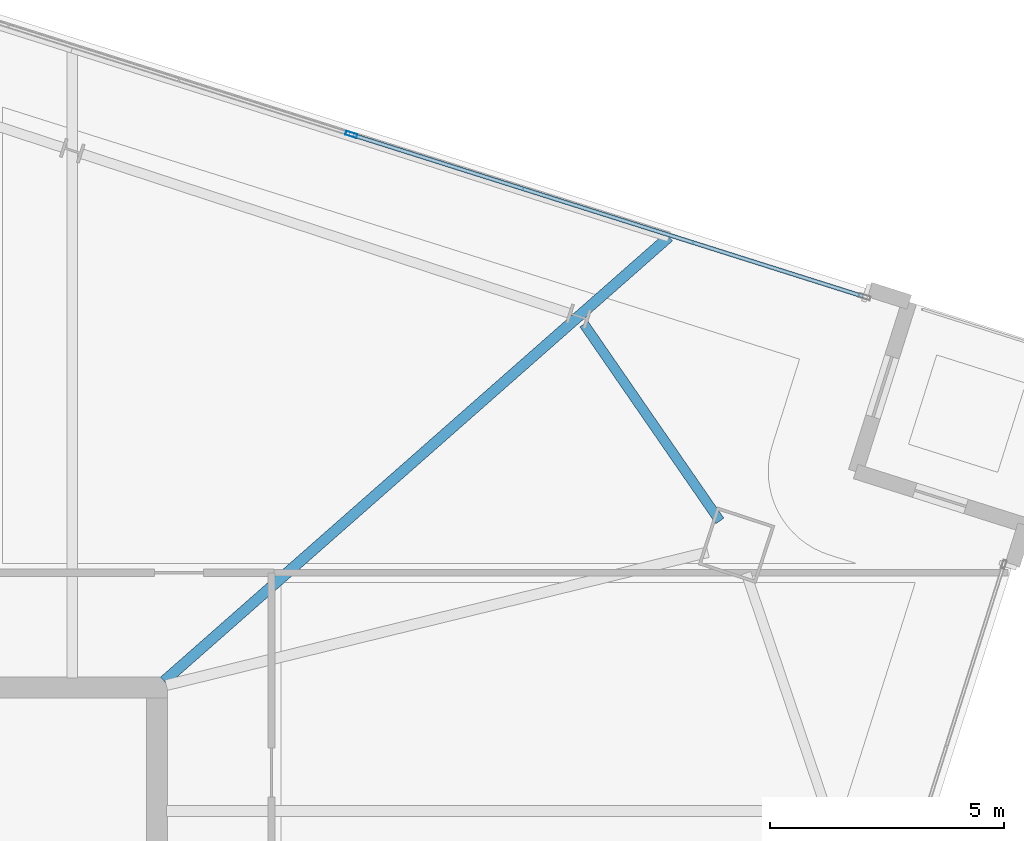
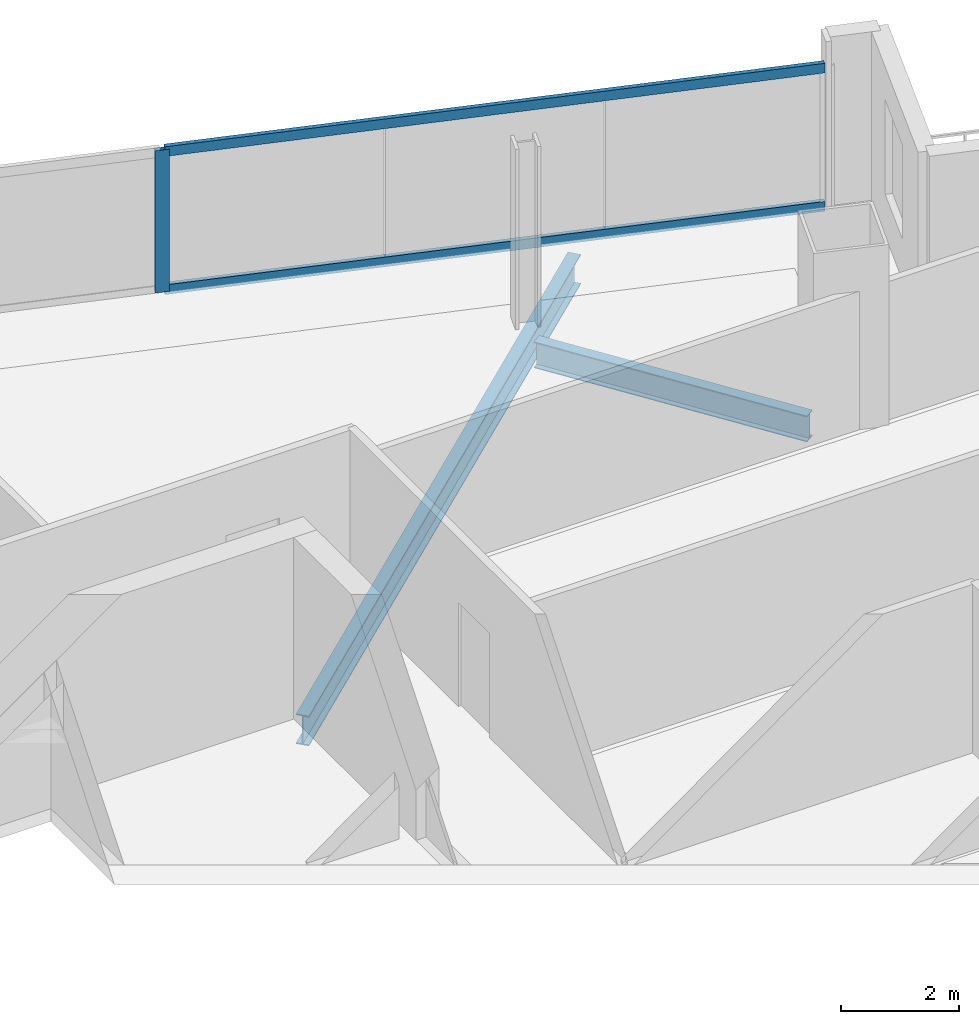
# One storey, part 15 of 26: 3 members, 2 beams, 1 element without a shape of its own.
"""IFC4 building model written with IfcOpenShell, lengths in metres."""

from ifc_helpers import new_model, si_unit, direction, frame, origin, origin_2d, place, context, subcontext, project, spatial, hollow_rectangle, i_section, extrude, material, material_profile, profile_set, type_object, element, aggregate, save


model = new_model("IFC4")

# Units and contexts
model_context = context("Model", 3, precision=1e-05, world=origin(), true_north=direction((0.0, 1.0)))
body_context = subcontext(model_context, "Body", "Model", "MODEL_VIEW")
ifc_project = project(units=[si_unit("LENGTHUNIT", "METRE"), si_unit("AREAUNIT", "SQUARE_METRE"), si_unit("VOLUMEUNIT", "CUBIC_METRE"), si_unit("PLANEANGLEUNIT", "RADIAN"), si_unit("MASSUNIT", "GRAM", prefix="KILO")], contexts=[model_context])

# Site, building, storey
site_placement = place(None, origin())
site = spatial("IfcSite", under=ifc_project, at=site_placement, CompositionType="ELEMENT")
building_placement = place(site_placement, origin())
building = spatial("IfcBuilding", under=site, at=building_placement, Name="Haldenkirk Collegiate Tower", CompositionType="ELEMENT")
storey_placement = place(building_placement, frame((0.0, 0.0, 271.199951171875)))
storey = spatial("IfcBuildingStorey", under=building, at=storey_placement, Name="L68", CompositionType="ELEMENT", Elevation=271.199951171875)

# Beams
ifc_material_1 = material(Name="Steel ASTM A992 Grade 50", Category="steel")
ifc_material_profile_1 = material_profile(ifc_material_1, i_section(OverallWidth=0.22998046875, OverallDepth=0.616943359375, WebThickness=0.01318359375, FlangeThickness=0.022216796875, at=origin_2d()), Name="W24X94")
ifc_profile_set_1 = profile_set([ifc_material_profile_1], Name="Steel ASTM A992 Grade 50")
beam_type_1 = type_object("IfcBeamType", Name="BM-GIRDER-W24X94", PredefinedType="BEAM", material=ifc_profile_set_1)
beam_1_placement = place(storey_placement, frame((55.948486328125, 43.6357421875, -0.578369140625), z_axis=(-0.750681519663, -0.660664253639, 0.0), x_axis=(0.660664253639, -0.750681519663, 0.0)))
element("IfcBeam", 1, at=beam_1_placement, inside=storey, type_object=beam_type_1, Name="L68 primary floor girder 08", PredefinedType="BEAM", context=body_context, shape_type="SweptSolid", body=[
    extrude(i_section(OverallWidth=0.22998046875, OverallDepth=0.616943359375, WebThickness=0.01318359375, FlangeThickness=0.022216796875, at=origin_2d()), origin(), (0.0, 0.0, 1.0), 14.3798828125),
])
ifc_material_profile_2 = material_profile(ifc_material_1, i_section(OverallWidth=0.2099609375, OverallDepth=0.537109375, WebThickness=0.010986328125, FlangeThickness=0.017333984375, at=origin_2d()), Name="W21X68")
ifc_profile_set_2 = profile_set([ifc_material_profile_2], Name="Steel ASTM A992 Grade 50")
beam_type_2 = type_object("IfcBeamType", Name="BM-SPANDREL-W21X68", PredefinedType="SPANDREL", material=ifc_profile_set_2)
beam_2_placement = place(storey_placement, frame((57.037841796875, 37.56201171875, -0.538330078125), z_axis=(-0.568092176681, 0.822964931692, 0.0), x_axis=(-0.822964931692, -0.568092176681, 0.0)))
element("IfcBeam", 2, at=beam_2_placement, inside=storey, type_object=beam_type_2, Name="L68 perimeter spandrel beam 05", PredefinedType="SPANDREL", context=body_context, shape_type="SweptSolid", body=[
    extrude(i_section(OverallWidth=0.2099609375, OverallDepth=0.537109375, WebThickness=0.010986328125, FlangeThickness=0.017333984375, at=origin_2d()), origin(), (0.0, 0.0, 1.0), 5.11328125),
])

# Curtain wall, members
ifc_material_2 = material(Name="Anodised architectural bronze aluminium", Category="aluminium")
curtain_wall_type = type_object("IfcCurtainWallType", Name="CW-SYS1B-CONVEX-HI", PredefinedType="USERDEFINED", material=ifc_material_2)
curtain_wall_placement = place(storey_placement, origin())
curtain_wall = element("IfcCurtainWall", 3, at=curtain_wall_placement, inside=storey, type_object=curtain_wall_type, Name="L68 Upper tower high-wind convex bronze unitised curtain wall", ObjectType="UNITISED CURTAIN WALL", PredefinedType="USERDEFINED")
ifc_material_profile_3 = material_profile(ifc_material_2, hollow_rectangle(XDim=0.0849609375, YDim=0.25, WallThickness=0.0048828125, at=origin_2d()), Name="CW-MUL-1B")
ifc_profile_set_3 = profile_set([ifc_material_profile_3], Name="Anodised architectural bronze aluminium")
member_type_1 = type_object("IfcMemberType", Name="CW-MUL-1B", PredefinedType="MULLION", material=ifc_profile_set_3)
member_1_placement = place(storey_placement, frame((49.1572265625, 45.825439453125, 0.0), z_axis=(0.0, 0.0, 1.0), x_axis=(0.301537400144, 0.95345434936, 0.0)))
member_1 = element("IfcMember", 4, at=member_1_placement, type_object=member_type_1, Name="CW-1B mullion 3", PredefinedType="MULLION", context=body_context, shape_type="SweptSolid", body=[
    extrude(hollow_rectangle(XDim=0.0849609375, YDim=0.25, WallThickness=0.0048828125, at=origin_2d()), origin(), (0.0, 0.0, 1.0), 2.93798828125),
])
ifc_material_profile_4 = material_profile(ifc_material_2, hollow_rectangle(XDim=0.0849609375, YDim=0.199951171875, WallThickness=0.0048828125, at=origin_2d()), Name="CW-TRN-1B")
ifc_profile_set_4 = profile_set([ifc_material_profile_4], Name="Anodised architectural bronze aluminium")
member_type_2 = type_object("IfcMemberType", Name="CW-TRN-1B", PredefinedType="USERDEFINED", material=ifc_profile_set_4)
member_2_placement = place(storey_placement, frame((49.19775390625, 45.812744140625, 0.04248046875), z_axis=(0.953448611681, -0.301555541953, 0.0), x_axis=(0.301555541953, 0.953448611681, 0.0)))
member_2 = element("IfcMember", 5, at=member_2_placement, type_object=member_type_2, Name="CW-1B transom 3.1", ObjectType="TRANSOM", PredefinedType="USERDEFINED", context=body_context, shape_type="SweptSolid", body=[
    extrude(hollow_rectangle(XDim=0.0849609375, YDim=0.199951171875, WallThickness=0.0048828125, at=origin_2d()), origin(), (0.0, 0.0, 1.0), 11.430908203125),
])
member_3_placement = place(storey_placement, frame((49.19775390625, 45.812744140625, 2.8955078125), z_axis=(0.953448611681, -0.301555541953, 0.0), x_axis=(0.301555541953, 0.953448611681, 0.0)))
member_3 = element("IfcMember", 6, at=member_3_placement, type_object=member_type_2, Name="CW-1B transom 3.2", ObjectType="TRANSOM", PredefinedType="USERDEFINED", context=body_context, shape_type="SweptSolid", body=[
    extrude(hollow_rectangle(XDim=0.0849609375, YDim=0.199951171875, WallThickness=0.0048828125, at=origin_2d()), origin(), (0.0, 0.0, 1.0), 11.430908203125),
])
aggregate(curtain_wall, [member_1, member_2, member_3])

save(model, "model.ifc")
